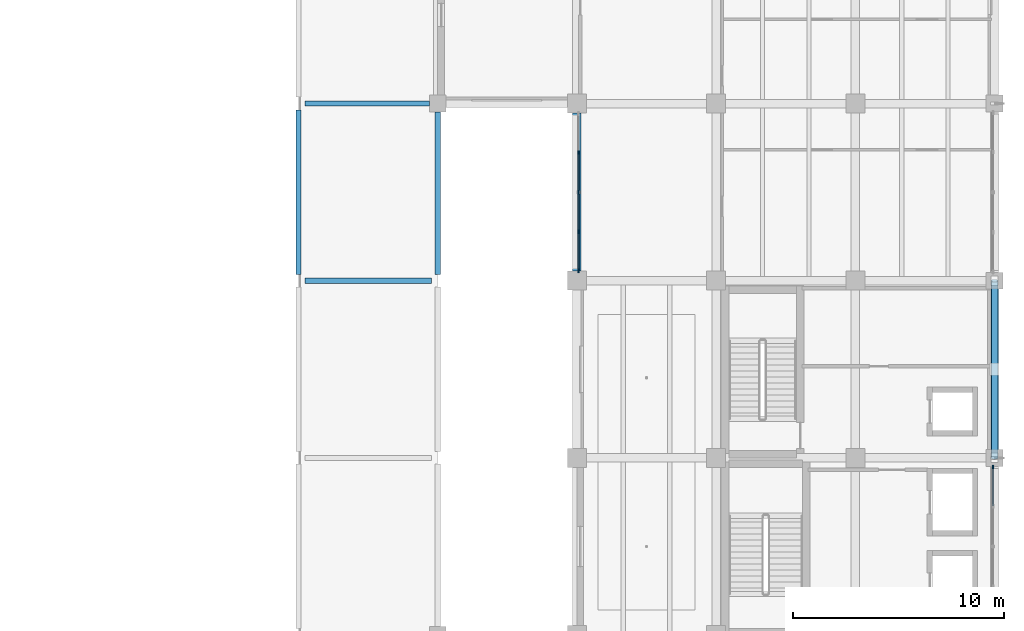
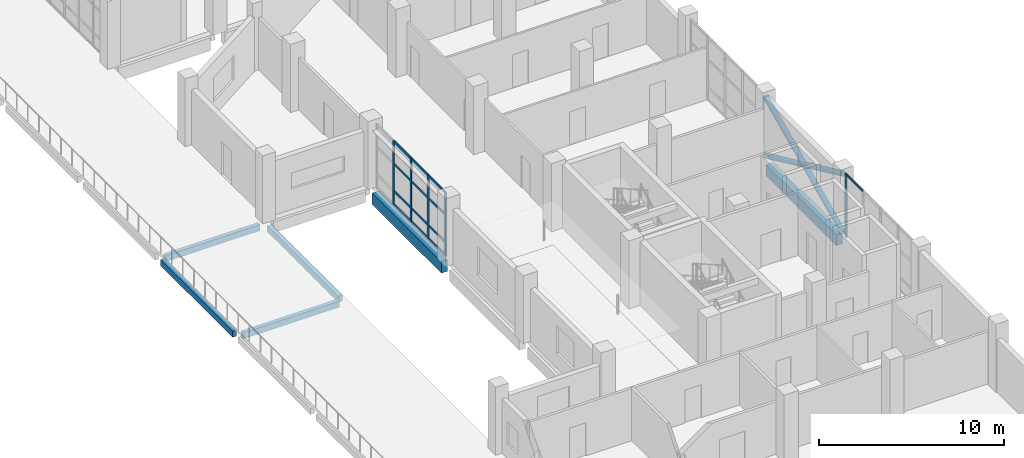
# One storey, part 22 of 83: 21 members, 6 beams, 2 elements without a shape of their own.
"""IFC4 building model written with IfcOpenShell, lengths in metres."""

from ifc_helpers import new_model, si_unit, direction, frame, origin, origin_2d, place, context, subcontext, project, spatial, rectangle, hollow_circle, extrude, material, material_profile, profile_set, type_object, element, aggregate, save


model = new_model("IFC4")

# Units and contexts
model_context = context("Model", 3, precision=1e-05, world=origin(), true_north=direction((0.0, 1.0)))
body_context = subcontext(model_context, "Body", "Model", "MODEL_VIEW")
ifc_project = project(units=[si_unit("LENGTHUNIT", "METRE"), si_unit("AREAUNIT", "SQUARE_METRE"), si_unit("VOLUMEUNIT", "CUBIC_METRE"), si_unit("PLANEANGLEUNIT", "RADIAN"), si_unit("MASSUNIT", "GRAM", prefix="KILO")], contexts=[model_context])

# Site, building, storey
site_placement = place(None, origin())
site = spatial("IfcSite", under=ifc_project, at=site_placement, CompositionType="ELEMENT")
building_placement = place(site_placement, origin())
building = spatial("IfcBuilding", under=site, at=building_placement, Name="Qaldarim Faculty of Natural and Applied Sciences", CompositionType="ELEMENT")
storey_placement = place(building_placement, frame((0.0, 0.0, 5.39990234375)))
storey = spatial("IfcBuildingStorey", under=building, at=storey_placement, Name="L01", CompositionType="ELEMENT", Elevation=5.39990234375)

# Beams
ifc_material_1 = material(Name="Concrete C40/50", Category="concrete")
ifc_material_profile_1 = material_profile(ifc_material_1, rectangle(XDim=0.25, YDim=0.39990234375, at=origin_2d()), Name="RC-LN250x400")
ifc_profile_set_1 = profile_set([ifc_material_profile_1], Name="Concrete C40/50")
beam_type_1 = type_object("IfcBeamType", Name="ArcadeLintel-RC250x400", PredefinedType="LINTEL", material=ifc_profile_set_1)
beam_1_placement = place(storey_placement, frame((145.5, 33.60009765625, -0.39990234375), z_axis=(1.0, 0.0, 0.0), x_axis=(0.0, 1.0, 0.0)))
element("IfcBeam", 1, at=beam_1_placement, inside=storey, type_object=beam_type_1, Name="Beam RC-LN250x400 L00 X23-X24/Y05", PredefinedType="LINTEL", context=body_context, shape_type="SweptSolid", body=[
    extrude(rectangle(XDim=0.25, YDim=0.39990234375, at=origin_2d()), origin(), (0.0, 0.0, 1.0), 6.0),
])
beam_2_placement = place(storey_placement, frame((145.5, 42.0, -0.39990234375), z_axis=(1.0, 0.0, 0.0), x_axis=(0.0, 1.0, 0.0)))
element("IfcBeam", 2, at=beam_2_placement, inside=storey, type_object=beam_type_1, Name="Beam RC-LN250x400 L00 X23-X24/Y06", PredefinedType="LINTEL", context=body_context, shape_type="SweptSolid", body=[
    extrude(rectangle(XDim=0.25, YDim=0.39990234375, at=origin_2d()), origin(), (0.0, 0.0, 1.0), 5.89990234375),
])
beam_3_placement = place(storey_placement, frame((145.199951171875, 33.89990234375, -0.39990234375), z_axis=(0.0, 1.0, 0.0), x_axis=(-1.0, 0.0, 0.0)))
element("IfcBeam", 3, at=beam_3_placement, inside=storey, type_object=beam_type_1, Name="Beam RC-LN250x400 L00 X23/Y05-Y06", PredefinedType="LINTEL", context=body_context, shape_type="SweptSolid", body=[
    extrude(rectangle(XDim=0.25, YDim=0.39990234375, at=origin_2d()), origin(), (0.0, 0.0, 1.0), 7.800048828125),
])
beam_4_placement = place(storey_placement, frame((151.800048828125, 33.89990234375, -0.39990234375), z_axis=(0.0, 1.0, 0.0), x_axis=(-1.0, 0.0, 0.0)))
element("IfcBeam", 4, at=beam_4_placement, inside=storey, type_object=beam_type_1, Name="Beam RC-LN250x400 L00 X24/Y05-Y06", PredefinedType="LINTEL", context=body_context, shape_type="SweptSolid", body=[
    extrude(rectangle(XDim=0.25, YDim=0.39990234375, at=origin_2d()), origin(), (0.0, 0.0, 1.0), 7.7001953125),
])
ifc_material_2 = material(Name="Concrete C50/60", Category="concrete")
ifc_material_profile_2 = material_profile(ifc_material_2, rectangle(XDim=0.39990234375, YDim=0.75, at=origin_2d()), Name="RC-B400x750")
ifc_profile_set_2 = profile_set([ifc_material_profile_2], Name="Concrete C50/60")
beam_type_2 = type_object("IfcBeamType", Name="LabGirder-RC400x750", PredefinedType="BEAM", material=ifc_profile_set_2)
beam_5_placement = place(storey_placement, frame((158.39990234375, 34.050048828125, -0.6748046875), z_axis=(0.0, 1.0, 0.0), x_axis=(-1.0, 0.0, 0.0)))
element("IfcBeam", 5, at=beam_5_placement, inside=storey, type_object=beam_type_2, Name="Beam RC-B400x750 L00 X25/Y05-Y06", PredefinedType="BEAM", context=body_context, shape_type="SweptSolid", body=[
    extrude(rectangle(XDim=0.39990234375, YDim=0.75, at=origin_2d()), origin(), (0.0, 0.0, 1.0), 7.5),
])
beam_6_placement = place(storey_placement, frame((178.199951171875, 25.60009765625, -0.6748046875), z_axis=(0.0, 1.0, 0.0), x_axis=(-1.0, 0.0, 0.0)))
element("IfcBeam", 6, at=beam_6_placement, inside=storey, type_object=beam_type_2, Name="Beam RC-B400x750 L00 X28/Y04-Y05", PredefinedType="BEAM", context=body_context, shape_type="SweptSolid", body=[
    extrude(rectangle(XDim=0.39990234375, YDim=0.75, at=origin_2d()), origin(), (0.0, 0.0, 1.0), 7.599853515625),
])

# Members
ifc_material_3 = material(Name="Structural steel S355", Category="steel")
ifc_material_profile_3 = material_profile(ifc_material_3, hollow_circle(Radius=0.161865234375, WallThickness=0.02001953125, at=origin_2d()), Name="CHS 323.9x20.0")
ifc_profile_set_3 = profile_set([ifc_material_profile_3], Name="Structural steel S355")
member_type_1 = type_object("IfcMemberType", Name="LowerWingBrace-CHS323-9x20", PredefinedType="BRACE", material=ifc_profile_set_3)
member_1_placement = place(storey_placement, frame((178.199951171875, 25.199951171875, 0.0), z_axis=(0.0, 0.907005731366, 0.421118277053), x_axis=(-1.0, 0.0, 0.0)))
element("IfcMember", 7, at=member_1_placement, inside=storey, type_object=member_type_1, Name="Upper east diagrid L01 primary brace L", PredefinedType="BRACE", context=body_context, shape_type="SweptSolid", body=[
    extrude(hollow_circle(Radius=0.161865234375, WallThickness=0.02001953125, at=origin_2d()), origin(), (0.0, 0.0, 1.0), 9.261474609375),
])
for number, where, z_axis, x_axis, name in (
    (8, (178.199951171875, 33.60009765625, 0.0), (0.0, -0.907196197698, 0.420707807014), (1.0, 0.0, 0.0), "Upper east diagrid L01 split secondary lower brace R1"),
    (9, (178.199951171875, 29.199951171875, 2.045166015625), (0.0, -0.907196197698, 0.420707807014), (1.0, 0.0, 0.0), "Upper east diagrid L01 split secondary upper brace R2"),
):
    element("IfcMember", number, at=place(storey_placement, frame(where, z_axis=z_axis, x_axis=x_axis)), inside=storey, type_object=member_type_1, Name=name, PredefinedType="BRACE", context=body_context, shape_type="SweptSolid", body=[
        extrude(hollow_circle(Radius=0.161865234375, WallThickness=0.02001953125, at=origin_2d()), origin(), (0.0, 0.0, 1.0), 4.4091796875),
    ])

# Curtain wall, members
ifc_material_4 = material(Name="Anodised aluminium AW-6063", Category="aluminium")
curtain_wall_type = type_object("IfcCurtainWallType", Name="CurtainWallSystem-M1700", PredefinedType="USERDEFINED", material=ifc_material_4)
curtain_wall_1_placement = place(storey_placement, origin())
curtain_wall_1 = element("IfcCurtainWall", 10, at=curtain_wall_1_placement, inside=storey, type_object=curtain_wall_type, Name="Curtain wall CW-L01-W-X25Y05", ObjectType="UNITISED FACADE", PredefinedType="USERDEFINED")
ifc_material_profile_4 = material_profile(ifc_material_4, rectangle(XDim=0.070068359375, YDim=0.179931640625, at=origin_2d()), Name="ALU-M70x180")
ifc_profile_set_4 = profile_set([ifc_material_profile_4], Name="Anodised aluminium AW-6063")
member_type_2 = type_object("IfcMemberType", Name="Mullion-ALU70x180", PredefinedType="MULLION", material=ifc_profile_set_4)
member_2_placement = place(storey_placement, frame((158.47998046875, 39.677490234375, 0.0), z_axis=(0.0, 0.0, 1.0), x_axis=(1.0, 0.0, 0.0)))
member_2 = element("IfcMember", 11, at=member_2_placement, type_object=member_type_2, Name="Mullion 2 of CW-L01-W-X25Y05", PredefinedType="MULLION", context=body_context, shape_type="SweptSolid", body=[
    extrude(rectangle(XDim=0.070068359375, YDim=0.179931640625, at=origin_2d()), origin(), (0.0, 0.0, 1.0), 4.2001953125),
])
member_3_placement = place(storey_placement, frame((158.47998046875, 37.800048828125, 0.0), z_axis=(0.0, 0.0, 1.0), x_axis=(1.0, 0.0, 0.0)))
member_3 = element("IfcMember", 12, at=member_3_placement, type_object=member_type_2, Name="Mullion 3 of CW-L01-W-X25Y05", PredefinedType="MULLION", context=body_context, shape_type="SweptSolid", body=[
    extrude(rectangle(XDim=0.070068359375, YDim=0.179931640625, at=origin_2d()), origin(), (0.0, 0.0, 1.0), 4.2001953125),
])
member_4_placement = place(storey_placement, frame((158.47998046875, 35.922607421875, 0.0), z_axis=(0.0, 0.0, 1.0), x_axis=(1.0, 0.0, 0.0)))
member_4 = element("IfcMember", 13, at=member_4_placement, type_object=member_type_2, Name="Mullion 4 of CW-L01-W-X25Y05", PredefinedType="MULLION", context=body_context, shape_type="SweptSolid", body=[
    extrude(rectangle(XDim=0.070068359375, YDim=0.179931640625, at=origin_2d()), origin(), (0.0, 0.0, 1.0), 4.2001953125),
])
member_5_placement = place(storey_placement, frame((158.47998046875, 34.080078125, 0.0), z_axis=(0.0, 0.0, 1.0), x_axis=(1.0, 0.0, 0.0)))
member_5 = element("IfcMember", 14, at=member_5_placement, type_object=member_type_2, Name="Mullion 5 of CW-L01-W-X25Y05", PredefinedType="MULLION", context=body_context, shape_type="SweptSolid", body=[
    extrude(rectangle(XDim=0.070068359375, YDim=0.179931640625, at=origin_2d()), origin(), (0.0, 0.0, 1.0), 4.2001953125),
])

# Curtain wall, member
curtain_wall_2_placement = place(storey_placement, origin())
curtain_wall_2 = element("IfcCurtainWall", 15, at=curtain_wall_2_placement, inside=storey, type_object=curtain_wall_type, Name="Curtain wall CW-L01-E-X27Y03", ObjectType="UNITISED FACADE", PredefinedType="USERDEFINED")
member_6_placement = place(storey_placement, frame((178.1201171875, 24.77001953125, 0.0), z_axis=(0.0, 0.0, 1.0), x_axis=(-1.0, 0.0, 0.0)))
member_6 = element("IfcMember", 16, at=member_6_placement, type_object=member_type_2, Name="Mullion 5 of CW-L01-E-X27Y03", PredefinedType="MULLION", context=body_context, shape_type="SweptSolid", body=[
    extrude(rectangle(XDim=0.070068359375, YDim=0.179931640625, at=origin_2d()), origin(), (0.0, 0.0, 1.0), 4.2001953125),
])

# Member
ifc_material_profile_5 = material_profile(ifc_material_4, rectangle(XDim=0.070068359375, YDim=0.139892578125, at=origin_2d()), Name="ALU-T70x140")
ifc_profile_set_5 = profile_set([ifc_material_profile_5], Name="Anodised aluminium AW-6063")
member_type_3 = type_object("IfcMemberType", Name="Transom-ALU70x140", PredefinedType="USERDEFINED", material=ifc_profile_set_5)
member_7_placement = place(storey_placement, frame((158.47998046875, 39.642578125, 0.03515625), z_axis=(0.0, -1.0, 0.0), x_axis=(1.0, 0.0, 0.0)))
member_7 = element("IfcMember", 17, at=member_7_placement, type_object=member_type_3, Name="Transom 2-1 of CW-L01-W-X25Y05", ObjectType="TRANSOM", PredefinedType="USERDEFINED", context=body_context, shape_type="SweptSolid", body=[
    extrude(rectangle(XDim=0.070068359375, YDim=0.139892578125, at=origin_2d()), origin(), (0.0, 0.0, 1.0), 1.8076171875),
])

member_8_placement = place(storey_placement, frame((158.47998046875, 39.642578125, 0.900146484375), z_axis=(0.0, -1.0, 0.0), x_axis=(1.0, 0.0, 0.0)))
member_8 = element("IfcMember", 18, at=member_8_placement, type_object=member_type_3, Name="Transom 2-2 of CW-L01-W-X25Y05", ObjectType="TRANSOM", PredefinedType="USERDEFINED", context=body_context, shape_type="SweptSolid", body=[
    extrude(rectangle(XDim=0.070068359375, YDim=0.139892578125, at=origin_2d()), origin(), (0.0, 0.0, 1.0), 1.8076171875),
])

member_9_placement = place(storey_placement, frame((158.47998046875, 39.642578125, 2.7001953125), z_axis=(0.0, -1.0, 0.0), x_axis=(1.0, 0.0, 0.0)))
member_9 = element("IfcMember", 19, at=member_9_placement, type_object=member_type_3, Name="Transom 2-3 of CW-L01-W-X25Y05", ObjectType="TRANSOM", PredefinedType="USERDEFINED", context=body_context, shape_type="SweptSolid", body=[
    extrude(rectangle(XDim=0.070068359375, YDim=0.139892578125, at=origin_2d()), origin(), (0.0, 0.0, 1.0), 1.8076171875),
])

member_10_placement = place(storey_placement, frame((158.47998046875, 39.642578125, 4.1650390625), z_axis=(0.0, -1.0, 0.0), x_axis=(1.0, 0.0, 0.0)))
member_10 = element("IfcMember", 20, at=member_10_placement, type_object=member_type_3, Name="Transom 2-4 of CW-L01-W-X25Y05", ObjectType="TRANSOM", PredefinedType="USERDEFINED", context=body_context, shape_type="SweptSolid", body=[
    extrude(rectangle(XDim=0.070068359375, YDim=0.139892578125, at=origin_2d()), origin(), (0.0, 0.0, 1.0), 1.8076171875),
])

member_11_placement = place(storey_placement, frame((158.47998046875, 37.764892578125, 0.03515625), z_axis=(0.0, -1.0, 0.0), x_axis=(1.0, 0.0, 0.0)))
member_11 = element("IfcMember", 21, at=member_11_placement, type_object=member_type_3, Name="Transom 3-1 of CW-L01-W-X25Y05", ObjectType="TRANSOM", PredefinedType="USERDEFINED", context=body_context, shape_type="SweptSolid", body=[
    extrude(rectangle(XDim=0.070068359375, YDim=0.139892578125, at=origin_2d()), origin(), (0.0, 0.0, 1.0), 1.807373046875),
])

member_12_placement = place(storey_placement, frame((158.47998046875, 37.764892578125, 0.900146484375), z_axis=(0.0, -1.0, 0.0), x_axis=(1.0, 0.0, 0.0)))
member_12 = element("IfcMember", 22, at=member_12_placement, type_object=member_type_3, Name="Transom 3-2 of CW-L01-W-X25Y05", ObjectType="TRANSOM", PredefinedType="USERDEFINED", context=body_context, shape_type="SweptSolid", body=[
    extrude(rectangle(XDim=0.070068359375, YDim=0.139892578125, at=origin_2d()), origin(), (0.0, 0.0, 1.0), 1.807373046875),
])

member_13_placement = place(storey_placement, frame((158.47998046875, 37.764892578125, 2.7001953125), z_axis=(0.0, -1.0, 0.0), x_axis=(1.0, 0.0, 0.0)))
member_13 = element("IfcMember", 23, at=member_13_placement, type_object=member_type_3, Name="Transom 3-3 of CW-L01-W-X25Y05", ObjectType="TRANSOM", PredefinedType="USERDEFINED", context=body_context, shape_type="SweptSolid", body=[
    extrude(rectangle(XDim=0.070068359375, YDim=0.139892578125, at=origin_2d()), origin(), (0.0, 0.0, 1.0), 1.807373046875),
])

member_14_placement = place(storey_placement, frame((158.47998046875, 37.764892578125, 4.1650390625), z_axis=(0.0, -1.0, 0.0), x_axis=(1.0, 0.0, 0.0)))
member_14 = element("IfcMember", 24, at=member_14_placement, type_object=member_type_3, Name="Transom 3-4 of CW-L01-W-X25Y05", ObjectType="TRANSOM", PredefinedType="USERDEFINED", context=body_context, shape_type="SweptSolid", body=[
    extrude(rectangle(XDim=0.070068359375, YDim=0.139892578125, at=origin_2d()), origin(), (0.0, 0.0, 1.0), 1.807373046875),
])

member_15_placement = place(storey_placement, frame((158.47998046875, 35.887451171875, 0.03515625), z_axis=(0.0, -1.0, 0.0), x_axis=(1.0, 0.0, 0.0)))
member_15 = element("IfcMember", 25, at=member_15_placement, type_object=member_type_3, Name="Transom 4-1 of CW-L01-W-X25Y05", ObjectType="TRANSOM", PredefinedType="USERDEFINED", context=body_context, shape_type="SweptSolid", body=[
    extrude(rectangle(XDim=0.070068359375, YDim=0.139892578125, at=origin_2d()), origin(), (0.0, 0.0, 1.0), 1.7724609375),
])

member_16_placement = place(storey_placement, frame((158.47998046875, 35.887451171875, 0.900146484375), z_axis=(0.0, -1.0, 0.0), x_axis=(1.0, 0.0, 0.0)))
member_16 = element("IfcMember", 26, at=member_16_placement, type_object=member_type_3, Name="Transom 4-2 of CW-L01-W-X25Y05", ObjectType="TRANSOM", PredefinedType="USERDEFINED", context=body_context, shape_type="SweptSolid", body=[
    extrude(rectangle(XDim=0.070068359375, YDim=0.139892578125, at=origin_2d()), origin(), (0.0, 0.0, 1.0), 1.7724609375),
])

member_17_placement = place(storey_placement, frame((158.47998046875, 35.887451171875, 2.7001953125), z_axis=(0.0, -1.0, 0.0), x_axis=(1.0, 0.0, 0.0)))
member_17 = element("IfcMember", 27, at=member_17_placement, type_object=member_type_3, Name="Transom 4-3 of CW-L01-W-X25Y05", ObjectType="TRANSOM", PredefinedType="USERDEFINED", context=body_context, shape_type="SweptSolid", body=[
    extrude(rectangle(XDim=0.070068359375, YDim=0.139892578125, at=origin_2d()), origin(), (0.0, 0.0, 1.0), 1.7724609375),
])

member_18_placement = place(storey_placement, frame((158.47998046875, 35.887451171875, 4.1650390625), z_axis=(0.0, -1.0, 0.0), x_axis=(1.0, 0.0, 0.0)))
member_18 = element("IfcMember", 28, at=member_18_placement, type_object=member_type_3, Name="Transom 4-4 of CW-L01-W-X25Y05", ObjectType="TRANSOM", PredefinedType="USERDEFINED", context=body_context, shape_type="SweptSolid", body=[
    extrude(rectangle(XDim=0.070068359375, YDim=0.139892578125, at=origin_2d()), origin(), (0.0, 0.0, 1.0), 1.7724609375),
])

aggregate(curtain_wall_1, [member_2, member_3, member_4, member_5, member_7, member_8, member_9, member_10, member_11, member_12, member_13, member_14, member_15, member_16, member_17, member_18])

member_19_placement = place(storey_placement, frame((178.1201171875, 22.9375, 4.1650390625), z_axis=(0.0, 1.0, 0.0), x_axis=(-1.0, 0.0, 0.0)))
member_19 = element("IfcMember", 29, at=member_19_placement, type_object=member_type_3, Name="Transom 4-4 of CW-L01-E-X27Y03", ObjectType="TRANSOM", PredefinedType="USERDEFINED", context=body_context, shape_type="SweptSolid", body=[
    extrude(rectangle(XDim=0.070068359375, YDim=0.139892578125, at=origin_2d()), origin(), (0.0, 0.0, 1.0), 1.797607421875),
])

aggregate(curtain_wall_2, [member_6, member_19])

save(model, "model.ifc")
